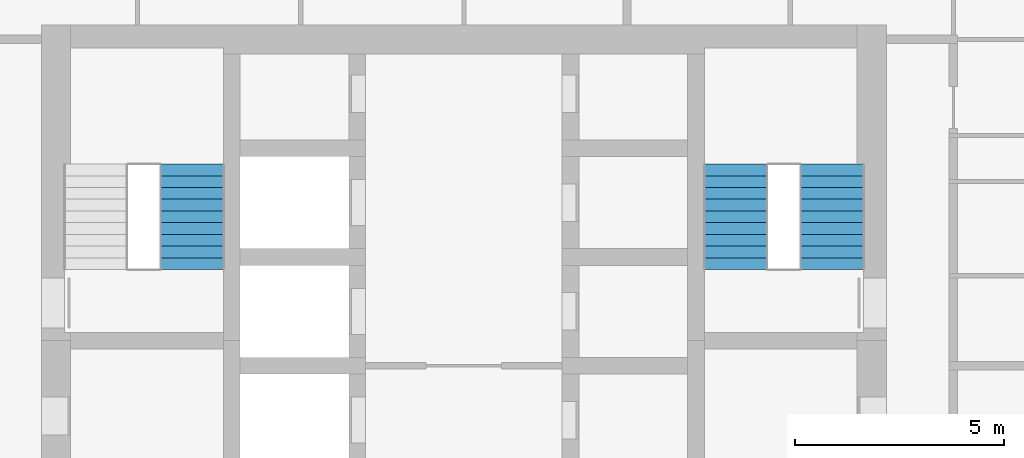
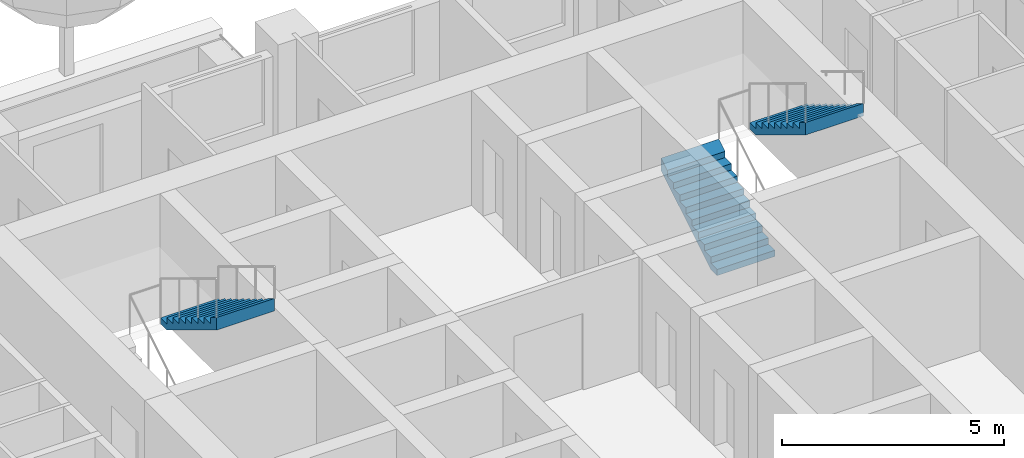
# One storey, part 15 of 18: 3 stair flights, 2 elements without a shape of their own.
"""IFC4 building model written with IfcOpenShell, lengths in metres."""

from ifc_helpers import new_model, si_unit, direction, frame, origin, place, context, subcontext, project, spatial, triangles, material, type_object, element, aggregate, save


model = new_model("IFC4")

# Units and contexts
model_context = context("Model", 3, precision=1e-05, world=origin(), true_north=direction((0.0, 1.0)))
body_context = subcontext(model_context, "Body", "Model", "MODEL_VIEW")
ifc_project = project(units=[si_unit("LENGTHUNIT", "METRE"), si_unit("AREAUNIT", "SQUARE_METRE"), si_unit("VOLUMEUNIT", "CUBIC_METRE"), si_unit("PLANEANGLEUNIT", "RADIAN"), si_unit("MASSUNIT", "GRAM", prefix="KILO")], contexts=[model_context])

# Site, building, storey
site_placement = place(None, origin())
site = spatial("IfcSite", under=ifc_project, at=site_placement, CompositionType="ELEMENT")
building_placement = place(site_placement, origin())
building = spatial("IfcBuilding", under=site, at=building_placement, Name="Ludao Terraces", CompositionType="ELEMENT")
storey_placement = place(building_placement, frame((0.0, 0.0, 26.300048828125)))
storey = spatial("IfcBuildingStorey", under=building, at=storey_placement, Name="L06", CompositionType="ELEMENT", Elevation=26.300048828125)

# Stair, stair flight
ifc_material = material(Name="Concrete C40", Category="concrete")
stair_type = type_object("IfcStairType", Name="INT Stair", PredefinedType="HALF_TURN_STAIR", material=ifc_material)
stair_1_placement = place(storey_placement, origin())
stair_1 = element("IfcStair", 1, at=stair_1_placement, inside=storey, type_object=stair_type, Name="EXIT STAIR 1", PredefinedType="HALF_TURN_STAIR")
stair_flight_type = type_object("IfcStairFlightType", Name="INT Stair flight", PredefinedType="STRAIGHT", material=ifc_material)
stair_flight_1_placement = place(storey_placement, frame((78.5, 81.52001953125, 1.699951171875), z_axis=(0.0, 0.0, 1.0), x_axis=(0.0, -1.0, 0.0)))
stair_flight_1 = element("IfcStairFlight", 2, at=stair_flight_1_placement, type_object=stair_flight_type, Name="ST1 flight 2", NumberOfRisers=10, NumberOfTreads=9, PredefinedType="STRAIGHT", RiserHeight=0.17, TreadLength=0.28, context=body_context, shape_type="Tessellation", body=[
    triangles([(0.0, -0.75, 0.0), (0.0, -0.5, 0.0), (0.0, -0.25, 0.0), (0.0, 0.0, 0.0), (0.0, 0.25, 0.0), (0.0, 0.5, 0.0), (0.0, 0.75, 0.0), (0.0, -0.75, 0.169921875), (0.0, -0.5, 0.169921875), (0.0, -0.25, 0.169921875), (0.0, 0.0, 0.169921875), (0.0, 0.25, 0.169921875), (0.0, 0.5, 0.169921875), (0.0, 0.75, 0.169921875), (0.280029296875, -0.75, 0.169921875), (0.280029296875, -0.5, 0.169921875), (0.280029296875, -0.25, 0.169921875), (0.280029296875, 0.0, 0.169921875), (0.280029296875, 0.25, 0.169921875), (0.280029296875, 0.5, 0.169921875), (0.280029296875, 0.75, 0.169921875), (0.280029296875, -0.75, 0.340087890625), (0.280029296875, -0.5, 0.340087890625), (0.280029296875, -0.25, 0.340087890625), (0.280029296875, 0.0, 0.340087890625), (0.280029296875, 0.25, 0.340087890625), (0.280029296875, 0.5, 0.340087890625), (0.280029296875, 0.75, 0.340087890625), (0.56005859375, -0.75, 0.340087890625), (0.56005859375, -0.5, 0.340087890625), (0.56005859375, -0.25, 0.340087890625), (0.56005859375, 0.0, 0.340087890625), (0.56005859375, 0.25, 0.340087890625), (0.56005859375, 0.5, 0.340087890625), (0.56005859375, 0.75, 0.340087890625), (0.56005859375, -0.75, 0.510009765625), (0.56005859375, -0.5, 0.510009765625), (0.56005859375, -0.25, 0.510009765625), (0.56005859375, 0.0, 0.510009765625), (0.56005859375, 0.25, 0.510009765625), (0.56005859375, 0.5, 0.510009765625), (0.56005859375, 0.75, 0.510009765625), (0.840087890625, -0.75, 0.510009765625), (0.840087890625, -0.5, 0.510009765625), (0.840087890625, -0.25, 0.510009765625), (0.840087890625, 0.0, 0.510009765625), (0.840087890625, 0.25, 0.510009765625), (0.840087890625, 0.5, 0.510009765625), (0.840087890625, 0.75, 0.510009765625), (0.840087890625, -0.75, 0.679931640625), (0.840087890625, -0.5, 0.679931640625), (0.840087890625, -0.25, 0.679931640625), (0.840087890625, 0.0, 0.679931640625), (0.840087890625, 0.25, 0.679931640625), (0.840087890625, 0.5, 0.679931640625), (0.840087890625, 0.75, 0.679931640625), (1.1201171875, -0.75, 0.679931640625), (1.1201171875, -0.5, 0.679931640625), (1.1201171875, -0.25, 0.679931640625), (1.1201171875, 0.0, 0.679931640625), (1.1201171875, 0.25, 0.679931640625), (1.1201171875, 0.5, 0.679931640625), (1.1201171875, 0.75, 0.679931640625), (1.1201171875, -0.75, 0.85009765625), (1.1201171875, -0.5, 0.85009765625), (1.1201171875, -0.25, 0.85009765625), (1.1201171875, 0.0, 0.85009765625), (1.1201171875, 0.25, 0.85009765625), (1.1201171875, 0.5, 0.85009765625), (1.1201171875, 0.75, 0.85009765625), (1.39990234375, -0.75, 0.85009765625), (1.39990234375, -0.5, 0.85009765625), (1.39990234375, -0.25, 0.85009765625), (1.39990234375, 0.0, 0.85009765625), (1.39990234375, 0.25, 0.85009765625), (1.39990234375, 0.5, 0.85009765625), (1.39990234375, 0.75, 0.85009765625), (1.39990234375, -0.75, 1.02001953125), (1.39990234375, -0.5, 1.02001953125), (1.39990234375, -0.25, 1.02001953125), (1.39990234375, 0.0, 1.02001953125), (1.39990234375, 0.25, 1.02001953125), (1.39990234375, 0.5, 1.02001953125), (1.39990234375, 0.75, 1.02001953125), (1.679931640625, -0.75, 1.02001953125), (1.679931640625, -0.5, 1.02001953125), (1.679931640625, -0.25, 1.02001953125), (1.679931640625, 0.0, 1.02001953125), (1.679931640625, 0.25, 1.02001953125), (1.679931640625, 0.5, 1.02001953125), (1.679931640625, 0.75, 1.02001953125), (1.679931640625, -0.75, 1.18994140625), (1.679931640625, -0.5, 1.18994140625), (1.679931640625, -0.25, 1.18994140625), (1.679931640625, 0.0, 1.18994140625), (1.679931640625, 0.25, 1.18994140625), (1.679931640625, 0.5, 1.18994140625), (1.679931640625, 0.75, 1.18994140625), (1.9599609375, -0.75, 1.18994140625), (1.9599609375, -0.5, 1.18994140625), (1.9599609375, -0.25, 1.18994140625), (1.9599609375, 0.0, 1.18994140625), (1.9599609375, 0.25, 1.18994140625), (1.9599609375, 0.5, 1.18994140625), (1.9599609375, 0.75, 1.18994140625), (1.9599609375, -0.75, 1.360107421875), (1.9599609375, -0.5, 1.360107421875), (1.9599609375, -0.25, 1.360107421875), (1.9599609375, 0.0, 1.360107421875), (1.9599609375, 0.25, 1.360107421875), (1.9599609375, 0.5, 1.360107421875), (1.9599609375, 0.75, 1.360107421875), (2.239990234375, -0.75, 1.360107421875), (2.239990234375, -0.5, 1.360107421875), (2.239990234375, -0.25, 1.360107421875), (2.239990234375, 0.0, 1.360107421875), (2.239990234375, 0.25, 1.360107421875), (2.239990234375, 0.5, 1.360107421875), (2.239990234375, 0.75, 1.360107421875), (2.239990234375, -0.75, 1.530029296875), (2.239990234375, -0.5, 1.530029296875), (2.239990234375, -0.25, 1.530029296875), (2.239990234375, 0.0, 1.530029296875), (2.239990234375, 0.25, 1.530029296875), (2.239990234375, 0.5, 1.530029296875), (2.239990234375, 0.75, 1.530029296875), (2.52001953125, -0.75, 1.699951171875), (2.52001953125, -0.5, 1.699951171875), (2.52001953125, -0.25, 1.699951171875), (2.52001953125, 0.0, 1.699951171875), (2.52001953125, 0.25, 1.699951171875), (2.52001953125, 0.5, 1.699951171875), (2.52001953125, 0.75, 1.699951171875), (2.52001953125, -0.75, 1.354736328125), (2.52001953125, -0.5, 1.354736328125), (2.52001953125, -0.25, 1.354736328125), (2.52001953125, 0.0, 1.354736328125), (2.52001953125, 0.25, 1.354736328125), (2.52001953125, 0.5, 1.354736328125), (2.52001953125, 0.75, 1.354736328125), (0.288818359375, -0.75, 0.0), (0.288818359375, -0.5, 0.0), (0.288818359375, -0.25, 0.0), (0.288818359375, 0.0, 0.0), (0.288818359375, 0.25, 0.0), (0.288818359375, 0.5, 0.0), (0.288818359375, 0.75, 0.0)], [[1, 141, 134], [7, 140, 147], [134, 127, 120], [140, 126, 133], [134, 120, 113], [140, 119, 126], [134, 113, 106], [140, 112, 119], [134, 106, 99], [140, 105, 112], [99, 92, 85], [105, 91, 98], [134, 99, 85], [140, 91, 105], [85, 78, 71], [91, 77, 84], [134, 85, 71], [140, 77, 91], [71, 64, 57], [77, 63, 70], [134, 71, 57], [140, 63, 77], [57, 50, 43], [63, 49, 56], [134, 57, 43], [140, 49, 63], [43, 36, 29], [49, 35, 42], [134, 43, 29], [140, 35, 49], [29, 22, 15], [35, 21, 28], [134, 29, 15], [140, 21, 35], [1, 134, 15], [7, 21, 140], [15, 8, 1], [21, 7, 14], [1, 9, 2], [1, 8, 9], [2, 10, 3], [2, 9, 10], [3, 11, 4], [3, 10, 11], [4, 12, 5], [4, 11, 12], [5, 13, 6], [5, 12, 13], [6, 14, 7], [6, 13, 14], [8, 16, 9], [8, 15, 16], [9, 17, 10], [9, 16, 17], [10, 18, 11], [10, 17, 18], [11, 19, 12], [11, 18, 19], [12, 20, 13], [12, 19, 20], [13, 21, 14], [13, 20, 21], [15, 23, 16], [15, 22, 23], [16, 24, 17], [16, 23, 24], [17, 25, 18], [17, 24, 25], [18, 26, 19], [18, 25, 26], [19, 27, 20], [19, 26, 27], [20, 28, 21], [20, 27, 28], [22, 30, 23], [22, 29, 30], [23, 31, 24], [23, 30, 31], [24, 32, 25], [24, 31, 32], [25, 33, 26], [25, 32, 33], [26, 34, 27], [26, 33, 34], [27, 35, 28], [27, 34, 35], [29, 37, 30], [29, 36, 37], [30, 38, 31], [30, 37, 38], [31, 39, 32], [31, 38, 39], [32, 40, 33], [32, 39, 40], [33, 41, 34], [33, 40, 41], [34, 42, 35], [34, 41, 42], [36, 44, 37], [36, 43, 44], [37, 45, 38], [37, 44, 45], [38, 46, 39], [38, 45, 46], [39, 47, 40], [39, 46, 47], [40, 48, 41], [40, 47, 48], [41, 49, 42], [41, 48, 49], [43, 51, 44], [43, 50, 51], [44, 52, 45], [44, 51, 52], [45, 53, 46], [45, 52, 53], [46, 54, 47], [46, 53, 54], [47, 55, 48], [47, 54, 55], [48, 56, 49], [48, 55, 56], [50, 58, 51], [50, 57, 58], [51, 59, 52], [51, 58, 59], [52, 60, 53], [52, 59, 60], [53, 61, 54], [53, 60, 61], [54, 62, 55], [54, 61, 62], [55, 63, 56], [55, 62, 63], [57, 65, 58], [57, 64, 65], [58, 66, 59], [58, 65, 66], [59, 67, 60], [59, 66, 67], [60, 68, 61], [60, 67, 68], [61, 69, 62], [61, 68, 69], [62, 70, 63], [62, 69, 70], [64, 72, 65], [64, 71, 72], [65, 73, 66], [65, 72, 73], [66, 74, 67], [66, 73, 74], [67, 75, 68], [67, 74, 75], [68, 76, 69], [68, 75, 76], [69, 77, 70], [69, 76, 77], [71, 79, 72], [71, 78, 79], [72, 80, 73], [72, 79, 80], [73, 81, 74], [73, 80, 81], [74, 82, 75], [74, 81, 82], [75, 83, 76], [75, 82, 83], [76, 84, 77], [76, 83, 84], [78, 86, 79], [78, 85, 86], [79, 87, 80], [79, 86, 87], [80, 88, 81], [80, 87, 88], [81, 89, 82], [81, 88, 89], [82, 90, 83], [82, 89, 90], [83, 91, 84], [83, 90, 91], [85, 93, 86], [85, 92, 93], [86, 94, 87], [86, 93, 94], [87, 95, 88], [87, 94, 95], [88, 96, 89], [88, 95, 96], [89, 97, 90], [89, 96, 97], [90, 98, 91], [90, 97, 98], [92, 100, 93], [92, 99, 100], [93, 101, 94], [93, 100, 101], [94, 102, 95], [94, 101, 102], [95, 103, 96], [95, 102, 103], [96, 104, 97], [96, 103, 104], [97, 105, 98], [97, 104, 105], [99, 107, 100], [99, 106, 107], [100, 108, 101], [100, 107, 108], [101, 109, 102], [101, 108, 109], [102, 110, 103], [102, 109, 110], [103, 111, 104], [103, 110, 111], [104, 112, 105], [104, 111, 112], [106, 114, 107], [106, 113, 114], [107, 115, 108], [107, 114, 115], [108, 116, 109], [108, 115, 116], [109, 117, 110], [109, 116, 117], [110, 118, 111], [110, 117, 118], [111, 119, 112], [111, 118, 119], [113, 121, 114], [113, 120, 121], [114, 122, 115], [114, 121, 122], [115, 123, 116], [115, 122, 123], [116, 124, 117], [116, 123, 124], [117, 125, 118], [117, 124, 125], [118, 126, 119], [118, 125, 126], [120, 128, 121], [120, 127, 128], [121, 129, 122], [121, 128, 129], [122, 130, 123], [122, 129, 130], [123, 131, 124], [123, 130, 131], [124, 132, 125], [124, 131, 132], [125, 133, 126], [125, 132, 133], [127, 135, 128], [127, 134, 135], [128, 136, 129], [128, 135, 136], [129, 137, 130], [129, 136, 137], [130, 138, 131], [130, 137, 138], [131, 139, 132], [131, 138, 139], [132, 140, 133], [132, 139, 140], [134, 142, 135], [134, 141, 142], [135, 143, 136], [135, 142, 143], [136, 144, 137], [136, 143, 144], [137, 145, 138], [137, 144, 145], [138, 146, 139], [138, 145, 146], [139, 147, 140], [139, 146, 147], [141, 2, 142], [141, 1, 2], [142, 3, 143], [142, 2, 3], [143, 4, 144], [143, 3, 4], [144, 5, 145], [144, 4, 5], [145, 6, 146], [145, 5, 6], [146, 7, 147], [146, 6, 7]], closed=True),
])
aggregate(stair_1, [stair_flight_1])

# Stair, stair flights
stair_2_placement = place(storey_placement, origin())
stair_2 = element("IfcStair", 3, at=stair_2_placement, inside=storey, type_object=stair_type, Name="EXIT STAIR 2", PredefinedType="HALF_TURN_STAIR")
stair_flight_2_placement = place(storey_placement, frame((91.5, 79.0, 0.0), z_axis=(0.0, 0.0, 1.0), x_axis=(0.0, 1.0, 0.0)))
stair_flight_2 = element("IfcStairFlight", 4, at=stair_flight_2_placement, type_object=stair_flight_type, Name="ST2 flight 1", NumberOfRisers=10, NumberOfTreads=9, PredefinedType="STRAIGHT", RiserHeight=0.17, TreadLength=0.28, context=body_context, shape_type="Tessellation", body=[
    triangles([(0.0, -0.75, 0.0), (0.0, -0.5, 0.0), (0.0, -0.25, 0.0), (0.0, 0.0, 0.0), (0.0, 0.25, 0.0), (0.0, 0.5, 0.0), (0.0, 0.75, 0.0), (0.0, -0.75, 0.169921875), (0.0, -0.5, 0.169921875), (0.0, -0.25, 0.169921875), (0.0, 0.0, 0.169921875), (0.0, 0.25, 0.169921875), (0.0, 0.5, 0.169921875), (0.0, 0.75, 0.169921875), (0.280029296875, -0.75, 0.169921875), (0.280029296875, -0.5, 0.169921875), (0.280029296875, -0.25, 0.169921875), (0.280029296875, 0.0, 0.169921875), (0.280029296875, 0.25, 0.169921875), (0.280029296875, 0.5, 0.169921875), (0.280029296875, 0.75, 0.169921875), (0.280029296875, -0.75, 0.340087890625), (0.280029296875, -0.5, 0.340087890625), (0.280029296875, -0.25, 0.340087890625), (0.280029296875, 0.0, 0.340087890625), (0.280029296875, 0.25, 0.340087890625), (0.280029296875, 0.5, 0.340087890625), (0.280029296875, 0.75, 0.340087890625), (0.56005859375, -0.75, 0.340087890625), (0.56005859375, -0.5, 0.340087890625), (0.56005859375, -0.25, 0.340087890625), (0.56005859375, 0.0, 0.340087890625), (0.56005859375, 0.25, 0.340087890625), (0.56005859375, 0.5, 0.340087890625), (0.56005859375, 0.75, 0.340087890625), (0.56005859375, -0.75, 0.510009765625), (0.56005859375, -0.5, 0.510009765625), (0.56005859375, -0.25, 0.510009765625), (0.56005859375, 0.0, 0.510009765625), (0.56005859375, 0.25, 0.510009765625), (0.56005859375, 0.5, 0.510009765625), (0.56005859375, 0.75, 0.510009765625), (0.840087890625, -0.75, 0.510009765625), (0.840087890625, -0.5, 0.510009765625), (0.840087890625, -0.25, 0.510009765625), (0.840087890625, 0.0, 0.510009765625), (0.840087890625, 0.25, 0.510009765625), (0.840087890625, 0.5, 0.510009765625), (0.840087890625, 0.75, 0.510009765625), (0.840087890625, -0.75, 0.679931640625), (0.840087890625, -0.5, 0.679931640625), (0.840087890625, -0.25, 0.679931640625), (0.840087890625, 0.0, 0.679931640625), (0.840087890625, 0.25, 0.679931640625), (0.840087890625, 0.5, 0.679931640625), (0.840087890625, 0.75, 0.679931640625), (1.1201171875, -0.75, 0.679931640625), (1.1201171875, -0.5, 0.679931640625), (1.1201171875, -0.25, 0.679931640625), (1.1201171875, 0.0, 0.679931640625), (1.1201171875, 0.25, 0.679931640625), (1.1201171875, 0.5, 0.679931640625), (1.1201171875, 0.75, 0.679931640625), (1.1201171875, -0.75, 0.85009765625), (1.1201171875, -0.5, 0.85009765625), (1.1201171875, -0.25, 0.85009765625), (1.1201171875, 0.0, 0.85009765625), (1.1201171875, 0.25, 0.85009765625), (1.1201171875, 0.5, 0.85009765625), (1.1201171875, 0.75, 0.85009765625), (1.39990234375, -0.75, 0.85009765625), (1.39990234375, -0.5, 0.85009765625), (1.39990234375, -0.25, 0.85009765625), (1.39990234375, 0.0, 0.85009765625), (1.39990234375, 0.25, 0.85009765625), (1.39990234375, 0.5, 0.85009765625), (1.39990234375, 0.75, 0.85009765625), (1.39990234375, -0.75, 1.02001953125), (1.39990234375, -0.5, 1.02001953125), (1.39990234375, -0.25, 1.02001953125), (1.39990234375, 0.0, 1.02001953125), (1.39990234375, 0.25, 1.02001953125), (1.39990234375, 0.5, 1.02001953125), (1.39990234375, 0.75, 1.02001953125), (1.679931640625, -0.75, 1.02001953125), (1.679931640625, -0.5, 1.02001953125), (1.679931640625, -0.25, 1.02001953125), (1.679931640625, 0.0, 1.02001953125), (1.679931640625, 0.25, 1.02001953125), (1.679931640625, 0.5, 1.02001953125), (1.679931640625, 0.75, 1.02001953125), (1.679931640625, -0.75, 1.18994140625), (1.679931640625, -0.5, 1.18994140625), (1.679931640625, -0.25, 1.18994140625), (1.679931640625, 0.0, 1.18994140625), (1.679931640625, 0.25, 1.18994140625), (1.679931640625, 0.5, 1.18994140625), (1.679931640625, 0.75, 1.18994140625), (1.9599609375, -0.75, 1.18994140625), (1.9599609375, -0.5, 1.18994140625), (1.9599609375, -0.25, 1.18994140625), (1.9599609375, 0.0, 1.18994140625), (1.9599609375, 0.25, 1.18994140625), (1.9599609375, 0.5, 1.18994140625), (1.9599609375, 0.75, 1.18994140625), (1.9599609375, -0.75, 1.360107421875), (1.9599609375, -0.5, 1.360107421875), (1.9599609375, -0.25, 1.360107421875), (1.9599609375, 0.0, 1.360107421875), (1.9599609375, 0.25, 1.360107421875), (1.9599609375, 0.5, 1.360107421875), (1.9599609375, 0.75, 1.360107421875), (2.239990234375, -0.75, 1.360107421875), (2.239990234375, -0.5, 1.360107421875), (2.239990234375, -0.25, 1.360107421875), (2.239990234375, 0.0, 1.360107421875), (2.239990234375, 0.25, 1.360107421875), (2.239990234375, 0.5, 1.360107421875), (2.239990234375, 0.75, 1.360107421875), (2.239990234375, -0.75, 1.530029296875), (2.239990234375, -0.5, 1.530029296875), (2.239990234375, -0.25, 1.530029296875), (2.239990234375, 0.0, 1.530029296875), (2.239990234375, 0.25, 1.530029296875), (2.239990234375, 0.5, 1.530029296875), (2.239990234375, 0.75, 1.530029296875), (2.52001953125, -0.75, 1.699951171875), (2.52001953125, -0.5, 1.699951171875), (2.52001953125, -0.25, 1.699951171875), (2.52001953125, 0.0, 1.699951171875), (2.52001953125, 0.25, 1.699951171875), (2.52001953125, 0.5, 1.699951171875), (2.52001953125, 0.75, 1.699951171875), (2.52001953125, -0.75, 1.354736328125), (2.52001953125, -0.5, 1.354736328125), (2.52001953125, -0.25, 1.354736328125), (2.52001953125, 0.0, 1.354736328125), (2.52001953125, 0.25, 1.354736328125), (2.52001953125, 0.5, 1.354736328125), (2.52001953125, 0.75, 1.354736328125), (0.288818359375, -0.75, 0.0), (0.288818359375, -0.5, 0.0), (0.288818359375, -0.25, 0.0), (0.288818359375, 0.0, 0.0), (0.288818359375, 0.25, 0.0), (0.288818359375, 0.5, 0.0), (0.288818359375, 0.75, 0.0)], [[1, 141, 134], [7, 140, 147], [134, 127, 120], [140, 126, 133], [134, 120, 113], [140, 119, 126], [134, 113, 106], [140, 112, 119], [134, 106, 99], [140, 105, 112], [99, 92, 85], [105, 91, 98], [134, 99, 85], [140, 91, 105], [85, 78, 71], [91, 77, 84], [134, 85, 71], [140, 77, 91], [71, 64, 57], [77, 63, 70], [134, 71, 57], [140, 63, 77], [57, 50, 43], [63, 49, 56], [134, 57, 43], [140, 49, 63], [43, 36, 29], [49, 35, 42], [134, 43, 29], [140, 35, 49], [29, 22, 15], [35, 21, 28], [134, 29, 15], [140, 21, 35], [1, 134, 15], [7, 21, 140], [15, 8, 1], [21, 7, 14], [1, 9, 2], [1, 8, 9], [2, 10, 3], [2, 9, 10], [3, 11, 4], [3, 10, 11], [4, 12, 5], [4, 11, 12], [5, 13, 6], [5, 12, 13], [6, 14, 7], [6, 13, 14], [8, 16, 9], [8, 15, 16], [9, 17, 10], [9, 16, 17], [10, 18, 11], [10, 17, 18], [11, 19, 12], [11, 18, 19], [12, 20, 13], [12, 19, 20], [13, 21, 14], [13, 20, 21], [15, 23, 16], [15, 22, 23], [16, 24, 17], [16, 23, 24], [17, 25, 18], [17, 24, 25], [18, 26, 19], [18, 25, 26], [19, 27, 20], [19, 26, 27], [20, 28, 21], [20, 27, 28], [22, 30, 23], [22, 29, 30], [23, 31, 24], [23, 30, 31], [24, 32, 25], [24, 31, 32], [25, 33, 26], [25, 32, 33], [26, 34, 27], [26, 33, 34], [27, 35, 28], [27, 34, 35], [29, 37, 30], [29, 36, 37], [30, 38, 31], [30, 37, 38], [31, 39, 32], [31, 38, 39], [32, 40, 33], [32, 39, 40], [33, 41, 34], [33, 40, 41], [34, 42, 35], [34, 41, 42], [36, 44, 37], [36, 43, 44], [37, 45, 38], [37, 44, 45], [38, 46, 39], [38, 45, 46], [39, 47, 40], [39, 46, 47], [40, 48, 41], [40, 47, 48], [41, 49, 42], [41, 48, 49], [43, 51, 44], [43, 50, 51], [44, 52, 45], [44, 51, 52], [45, 53, 46], [45, 52, 53], [46, 54, 47], [46, 53, 54], [47, 55, 48], [47, 54, 55], [48, 56, 49], [48, 55, 56], [50, 58, 51], [50, 57, 58], [51, 59, 52], [51, 58, 59], [52, 60, 53], [52, 59, 60], [53, 61, 54], [53, 60, 61], [54, 62, 55], [54, 61, 62], [55, 63, 56], [55, 62, 63], [57, 65, 58], [57, 64, 65], [58, 66, 59], [58, 65, 66], [59, 67, 60], [59, 66, 67], [60, 68, 61], [60, 67, 68], [61, 69, 62], [61, 68, 69], [62, 70, 63], [62, 69, 70], [64, 72, 65], [64, 71, 72], [65, 73, 66], [65, 72, 73], [66, 74, 67], [66, 73, 74], [67, 75, 68], [67, 74, 75], [68, 76, 69], [68, 75, 76], [69, 77, 70], [69, 76, 77], [71, 79, 72], [71, 78, 79], [72, 80, 73], [72, 79, 80], [73, 81, 74], [73, 80, 81], [74, 82, 75], [74, 81, 82], [75, 83, 76], [75, 82, 83], [76, 84, 77], [76, 83, 84], [78, 86, 79], [78, 85, 86], [79, 87, 80], [79, 86, 87], [80, 88, 81], [80, 87, 88], [81, 89, 82], [81, 88, 89], [82, 90, 83], [82, 89, 90], [83, 91, 84], [83, 90, 91], [85, 93, 86], [85, 92, 93], [86, 94, 87], [86, 93, 94], [87, 95, 88], [87, 94, 95], [88, 96, 89], [88, 95, 96], [89, 97, 90], [89, 96, 97], [90, 98, 91], [90, 97, 98], [92, 100, 93], [92, 99, 100], [93, 101, 94], [93, 100, 101], [94, 102, 95], [94, 101, 102], [95, 103, 96], [95, 102, 103], [96, 104, 97], [96, 103, 104], [97, 105, 98], [97, 104, 105], [99, 107, 100], [99, 106, 107], [100, 108, 101], [100, 107, 108], [101, 109, 102], [101, 108, 109], [102, 110, 103], [102, 109, 110], [103, 111, 104], [103, 110, 111], [104, 112, 105], [104, 111, 112], [106, 114, 107], [106, 113, 114], [107, 115, 108], [107, 114, 115], [108, 116, 109], [108, 115, 116], [109, 117, 110], [109, 116, 117], [110, 118, 111], [110, 117, 118], [111, 119, 112], [111, 118, 119], [113, 121, 114], [113, 120, 121], [114, 122, 115], [114, 121, 122], [115, 123, 116], [115, 122, 123], [116, 124, 117], [116, 123, 124], [117, 125, 118], [117, 124, 125], [118, 126, 119], [118, 125, 126], [120, 128, 121], [120, 127, 128], [121, 129, 122], [121, 128, 129], [122, 130, 123], [122, 129, 130], [123, 131, 124], [123, 130, 131], [124, 132, 125], [124, 131, 132], [125, 133, 126], [125, 132, 133], [127, 135, 128], [127, 134, 135], [128, 136, 129], [128, 135, 136], [129, 137, 130], [129, 136, 137], [130, 138, 131], [130, 137, 138], [131, 139, 132], [131, 138, 139], [132, 140, 133], [132, 139, 140], [134, 142, 135], [134, 141, 142], [135, 143, 136], [135, 142, 143], [136, 144, 137], [136, 143, 144], [137, 145, 138], [137, 144, 145], [138, 146, 139], [138, 145, 146], [139, 147, 140], [139, 146, 147], [141, 2, 142], [141, 1, 2], [142, 3, 143], [142, 2, 3], [143, 4, 144], [143, 3, 4], [144, 5, 145], [144, 4, 5], [145, 6, 146], [145, 5, 6], [146, 7, 147], [146, 6, 7]], closed=True),
])
stair_flight_3_placement = place(storey_placement, frame((93.800048828125, 81.52001953125, 1.699951171875), z_axis=(0.0, 0.0, 1.0), x_axis=(0.0, -1.0, 0.0)))
stair_flight_3 = element("IfcStairFlight", 5, at=stair_flight_3_placement, type_object=stair_flight_type, Name="ST2 flight 2", NumberOfRisers=10, NumberOfTreads=9, PredefinedType="STRAIGHT", RiserHeight=0.17, TreadLength=0.28, context=body_context, shape_type="Tessellation", body=[
    triangles([(0.0, -0.75, 0.0), (0.0, -0.5, 0.0), (0.0, -0.25, 0.0), (0.0, 0.0, 0.0), (0.0, 0.25, 0.0), (0.0, 0.5, 0.0), (0.0, 0.75, 0.0), (0.0, -0.75, 0.169921875), (0.0, -0.5, 0.169921875), (0.0, -0.25, 0.169921875), (0.0, 0.0, 0.169921875), (0.0, 0.25, 0.169921875), (0.0, 0.5, 0.169921875), (0.0, 0.75, 0.169921875), (0.280029296875, -0.75, 0.169921875), (0.280029296875, -0.5, 0.169921875), (0.280029296875, -0.25, 0.169921875), (0.280029296875, 0.0, 0.169921875), (0.280029296875, 0.25, 0.169921875), (0.280029296875, 0.5, 0.169921875), (0.280029296875, 0.75, 0.169921875), (0.280029296875, -0.75, 0.340087890625), (0.280029296875, -0.5, 0.340087890625), (0.280029296875, -0.25, 0.340087890625), (0.280029296875, 0.0, 0.340087890625), (0.280029296875, 0.25, 0.340087890625), (0.280029296875, 0.5, 0.340087890625), (0.280029296875, 0.75, 0.340087890625), (0.56005859375, -0.75, 0.340087890625), (0.56005859375, -0.5, 0.340087890625), (0.56005859375, -0.25, 0.340087890625), (0.56005859375, 0.0, 0.340087890625), (0.56005859375, 0.25, 0.340087890625), (0.56005859375, 0.5, 0.340087890625), (0.56005859375, 0.75, 0.340087890625), (0.56005859375, -0.75, 0.510009765625), (0.56005859375, -0.5, 0.510009765625), (0.56005859375, -0.25, 0.510009765625), (0.56005859375, 0.0, 0.510009765625), (0.56005859375, 0.25, 0.510009765625), (0.56005859375, 0.5, 0.510009765625), (0.56005859375, 0.75, 0.510009765625), (0.840087890625, -0.75, 0.510009765625), (0.840087890625, -0.5, 0.510009765625), (0.840087890625, -0.25, 0.510009765625), (0.840087890625, 0.0, 0.510009765625), (0.840087890625, 0.25, 0.510009765625), (0.840087890625, 0.5, 0.510009765625), (0.840087890625, 0.75, 0.510009765625), (0.840087890625, -0.75, 0.679931640625), (0.840087890625, -0.5, 0.679931640625), (0.840087890625, -0.25, 0.679931640625), (0.840087890625, 0.0, 0.679931640625), (0.840087890625, 0.25, 0.679931640625), (0.840087890625, 0.5, 0.679931640625), (0.840087890625, 0.75, 0.679931640625), (1.1201171875, -0.75, 0.679931640625), (1.1201171875, -0.5, 0.679931640625), (1.1201171875, -0.25, 0.679931640625), (1.1201171875, 0.0, 0.679931640625), (1.1201171875, 0.25, 0.679931640625), (1.1201171875, 0.5, 0.679931640625), (1.1201171875, 0.75, 0.679931640625), (1.1201171875, -0.75, 0.85009765625), (1.1201171875, -0.5, 0.85009765625), (1.1201171875, -0.25, 0.85009765625), (1.1201171875, 0.0, 0.85009765625), (1.1201171875, 0.25, 0.85009765625), (1.1201171875, 0.5, 0.85009765625), (1.1201171875, 0.75, 0.85009765625), (1.39990234375, -0.75, 0.85009765625), (1.39990234375, -0.5, 0.85009765625), (1.39990234375, -0.25, 0.85009765625), (1.39990234375, 0.0, 0.85009765625), (1.39990234375, 0.25, 0.85009765625), (1.39990234375, 0.5, 0.85009765625), (1.39990234375, 0.75, 0.85009765625), (1.39990234375, -0.75, 1.02001953125), (1.39990234375, -0.5, 1.02001953125), (1.39990234375, -0.25, 1.02001953125), (1.39990234375, 0.0, 1.02001953125), (1.39990234375, 0.25, 1.02001953125), (1.39990234375, 0.5, 1.02001953125), (1.39990234375, 0.75, 1.02001953125), (1.679931640625, -0.75, 1.02001953125), (1.679931640625, -0.5, 1.02001953125), (1.679931640625, -0.25, 1.02001953125), (1.679931640625, 0.0, 1.02001953125), (1.679931640625, 0.25, 1.02001953125), (1.679931640625, 0.5, 1.02001953125), (1.679931640625, 0.75, 1.02001953125), (1.679931640625, -0.75, 1.18994140625), (1.679931640625, -0.5, 1.18994140625), (1.679931640625, -0.25, 1.18994140625), (1.679931640625, 0.0, 1.18994140625), (1.679931640625, 0.25, 1.18994140625), (1.679931640625, 0.5, 1.18994140625), (1.679931640625, 0.75, 1.18994140625), (1.9599609375, -0.75, 1.18994140625), (1.9599609375, -0.5, 1.18994140625), (1.9599609375, -0.25, 1.18994140625), (1.9599609375, 0.0, 1.18994140625), (1.9599609375, 0.25, 1.18994140625), (1.9599609375, 0.5, 1.18994140625), (1.9599609375, 0.75, 1.18994140625), (1.9599609375, -0.75, 1.360107421875), (1.9599609375, -0.5, 1.360107421875), (1.9599609375, -0.25, 1.360107421875), (1.9599609375, 0.0, 1.360107421875), (1.9599609375, 0.25, 1.360107421875), (1.9599609375, 0.5, 1.360107421875), (1.9599609375, 0.75, 1.360107421875), (2.239990234375, -0.75, 1.360107421875), (2.239990234375, -0.5, 1.360107421875), (2.239990234375, -0.25, 1.360107421875), (2.239990234375, 0.0, 1.360107421875), (2.239990234375, 0.25, 1.360107421875), (2.239990234375, 0.5, 1.360107421875), (2.239990234375, 0.75, 1.360107421875), (2.239990234375, -0.75, 1.530029296875), (2.239990234375, -0.5, 1.530029296875), (2.239990234375, -0.25, 1.530029296875), (2.239990234375, 0.0, 1.530029296875), (2.239990234375, 0.25, 1.530029296875), (2.239990234375, 0.5, 1.530029296875), (2.239990234375, 0.75, 1.530029296875), (2.52001953125, -0.75, 1.699951171875), (2.52001953125, -0.5, 1.699951171875), (2.52001953125, -0.25, 1.699951171875), (2.52001953125, 0.0, 1.699951171875), (2.52001953125, 0.25, 1.699951171875), (2.52001953125, 0.5, 1.699951171875), (2.52001953125, 0.75, 1.699951171875), (2.52001953125, -0.75, 1.354736328125), (2.52001953125, -0.5, 1.354736328125), (2.52001953125, -0.25, 1.354736328125), (2.52001953125, 0.0, 1.354736328125), (2.52001953125, 0.25, 1.354736328125), (2.52001953125, 0.5, 1.354736328125), (2.52001953125, 0.75, 1.354736328125), (0.288818359375, -0.75, 0.0), (0.288818359375, -0.5, 0.0), (0.288818359375, -0.25, 0.0), (0.288818359375, 0.0, 0.0), (0.288818359375, 0.25, 0.0), (0.288818359375, 0.5, 0.0), (0.288818359375, 0.75, 0.0)], [[1, 141, 134], [7, 140, 147], [134, 127, 120], [140, 126, 133], [134, 120, 113], [140, 119, 126], [134, 113, 106], [140, 112, 119], [134, 106, 99], [140, 105, 112], [99, 92, 85], [105, 91, 98], [134, 99, 85], [140, 91, 105], [85, 78, 71], [91, 77, 84], [134, 85, 71], [140, 77, 91], [71, 64, 57], [77, 63, 70], [134, 71, 57], [140, 63, 77], [57, 50, 43], [63, 49, 56], [134, 57, 43], [140, 49, 63], [43, 36, 29], [49, 35, 42], [134, 43, 29], [140, 35, 49], [29, 22, 15], [35, 21, 28], [134, 29, 15], [140, 21, 35], [1, 134, 15], [7, 21, 140], [15, 8, 1], [21, 7, 14], [1, 9, 2], [1, 8, 9], [2, 10, 3], [2, 9, 10], [3, 11, 4], [3, 10, 11], [4, 12, 5], [4, 11, 12], [5, 13, 6], [5, 12, 13], [6, 14, 7], [6, 13, 14], [8, 16, 9], [8, 15, 16], [9, 17, 10], [9, 16, 17], [10, 18, 11], [10, 17, 18], [11, 19, 12], [11, 18, 19], [12, 20, 13], [12, 19, 20], [13, 21, 14], [13, 20, 21], [15, 23, 16], [15, 22, 23], [16, 24, 17], [16, 23, 24], [17, 25, 18], [17, 24, 25], [18, 26, 19], [18, 25, 26], [19, 27, 20], [19, 26, 27], [20, 28, 21], [20, 27, 28], [22, 30, 23], [22, 29, 30], [23, 31, 24], [23, 30, 31], [24, 32, 25], [24, 31, 32], [25, 33, 26], [25, 32, 33], [26, 34, 27], [26, 33, 34], [27, 35, 28], [27, 34, 35], [29, 37, 30], [29, 36, 37], [30, 38, 31], [30, 37, 38], [31, 39, 32], [31, 38, 39], [32, 40, 33], [32, 39, 40], [33, 41, 34], [33, 40, 41], [34, 42, 35], [34, 41, 42], [36, 44, 37], [36, 43, 44], [37, 45, 38], [37, 44, 45], [38, 46, 39], [38, 45, 46], [39, 47, 40], [39, 46, 47], [40, 48, 41], [40, 47, 48], [41, 49, 42], [41, 48, 49], [43, 51, 44], [43, 50, 51], [44, 52, 45], [44, 51, 52], [45, 53, 46], [45, 52, 53], [46, 54, 47], [46, 53, 54], [47, 55, 48], [47, 54, 55], [48, 56, 49], [48, 55, 56], [50, 58, 51], [50, 57, 58], [51, 59, 52], [51, 58, 59], [52, 60, 53], [52, 59, 60], [53, 61, 54], [53, 60, 61], [54, 62, 55], [54, 61, 62], [55, 63, 56], [55, 62, 63], [57, 65, 58], [57, 64, 65], [58, 66, 59], [58, 65, 66], [59, 67, 60], [59, 66, 67], [60, 68, 61], [60, 67, 68], [61, 69, 62], [61, 68, 69], [62, 70, 63], [62, 69, 70], [64, 72, 65], [64, 71, 72], [65, 73, 66], [65, 72, 73], [66, 74, 67], [66, 73, 74], [67, 75, 68], [67, 74, 75], [68, 76, 69], [68, 75, 76], [69, 77, 70], [69, 76, 77], [71, 79, 72], [71, 78, 79], [72, 80, 73], [72, 79, 80], [73, 81, 74], [73, 80, 81], [74, 82, 75], [74, 81, 82], [75, 83, 76], [75, 82, 83], [76, 84, 77], [76, 83, 84], [78, 86, 79], [78, 85, 86], [79, 87, 80], [79, 86, 87], [80, 88, 81], [80, 87, 88], [81, 89, 82], [81, 88, 89], [82, 90, 83], [82, 89, 90], [83, 91, 84], [83, 90, 91], [85, 93, 86], [85, 92, 93], [86, 94, 87], [86, 93, 94], [87, 95, 88], [87, 94, 95], [88, 96, 89], [88, 95, 96], [89, 97, 90], [89, 96, 97], [90, 98, 91], [90, 97, 98], [92, 100, 93], [92, 99, 100], [93, 101, 94], [93, 100, 101], [94, 102, 95], [94, 101, 102], [95, 103, 96], [95, 102, 103], [96, 104, 97], [96, 103, 104], [97, 105, 98], [97, 104, 105], [99, 107, 100], [99, 106, 107], [100, 108, 101], [100, 107, 108], [101, 109, 102], [101, 108, 109], [102, 110, 103], [102, 109, 110], [103, 111, 104], [103, 110, 111], [104, 112, 105], [104, 111, 112], [106, 114, 107], [106, 113, 114], [107, 115, 108], [107, 114, 115], [108, 116, 109], [108, 115, 116], [109, 117, 110], [109, 116, 117], [110, 118, 111], [110, 117, 118], [111, 119, 112], [111, 118, 119], [113, 121, 114], [113, 120, 121], [114, 122, 115], [114, 121, 122], [115, 123, 116], [115, 122, 123], [116, 124, 117], [116, 123, 124], [117, 125, 118], [117, 124, 125], [118, 126, 119], [118, 125, 126], [120, 128, 121], [120, 127, 128], [121, 129, 122], [121, 128, 129], [122, 130, 123], [122, 129, 130], [123, 131, 124], [123, 130, 131], [124, 132, 125], [124, 131, 132], [125, 133, 126], [125, 132, 133], [127, 135, 128], [127, 134, 135], [128, 136, 129], [128, 135, 136], [129, 137, 130], [129, 136, 137], [130, 138, 131], [130, 137, 138], [131, 139, 132], [131, 138, 139], [132, 140, 133], [132, 139, 140], [134, 142, 135], [134, 141, 142], [135, 143, 136], [135, 142, 143], [136, 144, 137], [136, 143, 144], [137, 145, 138], [137, 144, 145], [138, 146, 139], [138, 145, 146], [139, 147, 140], [139, 146, 147], [141, 2, 142], [141, 1, 2], [142, 3, 143], [142, 2, 3], [143, 4, 144], [143, 3, 4], [144, 5, 145], [144, 4, 5], [145, 6, 146], [145, 5, 6], [146, 7, 147], [146, 6, 7]], closed=True),
])
aggregate(stair_2, [stair_flight_2, stair_flight_3])

save(model, "model.ifc")
